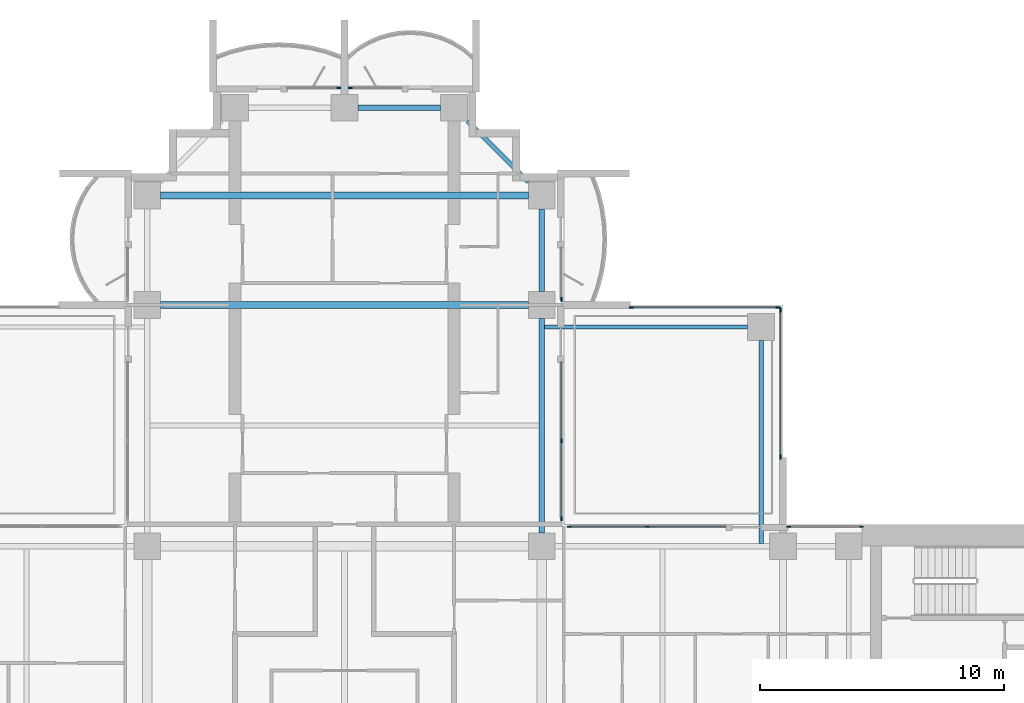
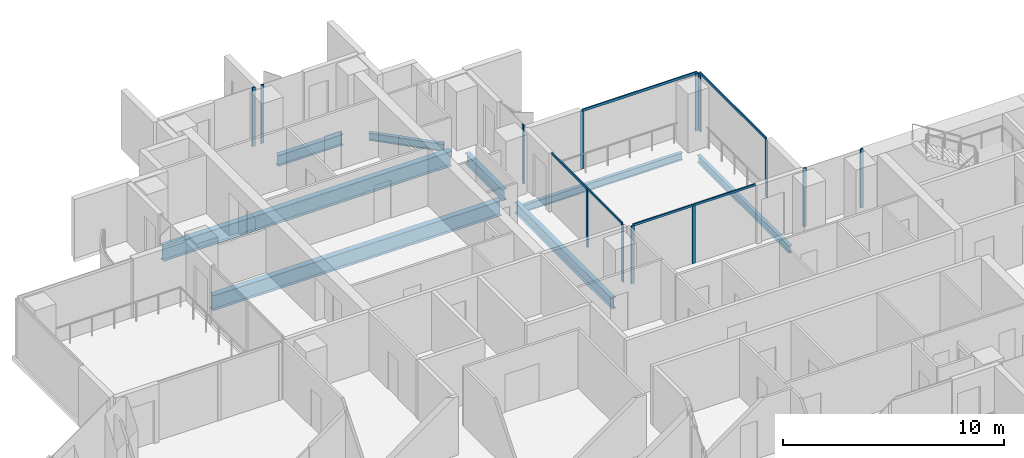
# One storey, part 6 of 19: 17 members, 8 beams, 8 elements without a shape of their own.
"""IFC4 building model written with IfcOpenShell, lengths in metres."""

from ifc_helpers import new_model, si_unit, direction, frame, origin, origin_2d, place, context, subcontext, project, spatial, rectangle, i_section, extrude, material, material_profile, profile_set, type_object, element, aggregate, save


model = new_model("IFC4")

# Units and contexts
model_context = context("Model", 3, precision=1e-05, world=origin(), true_north=direction((0.0, 1.0)))
body_context = subcontext(model_context, "Body", "Model", "MODEL_VIEW")
ifc_project = project(units=[si_unit("LENGTHUNIT", "METRE"), si_unit("AREAUNIT", "SQUARE_METRE"), si_unit("VOLUMEUNIT", "CUBIC_METRE"), si_unit("PLANEANGLEUNIT", "RADIAN"), si_unit("MASSUNIT", "GRAM", prefix="KILO")], contexts=[model_context])

# Site, building, storey
site_placement = place(None, origin())
site = spatial("IfcSite", under=ifc_project, at=site_placement, CompositionType="ELEMENT")
building_placement = place(site_placement, origin())
building = spatial("IfcBuilding", under=site, at=building_placement, Name="Perihelion Cross Residences", CompositionType="ELEMENT")
storey_placement = place(building_placement, frame((0.0, 0.0, 119.89990234375)))
storey = spatial("IfcBuildingStorey", under=building, at=storey_placement, Name="L28", CompositionType="ELEMENT", Elevation=119.89990234375)

# Curtain wall, members
ifc_material_1 = material(Name="Bronze anodised aluminium, tinted glazing", Category="aluminium")
curtain_wall_type_1 = type_object("IfcCurtainWallType", Name="CW1", PredefinedType="NOTDEFINED", material=ifc_material_1)
curtain_wall_1_placement = place(storey_placement, origin())
curtain_wall_1 = element("IfcCurtainWall", 1, at=curtain_wall_1_placement, inside=storey, type_object=curtain_wall_type_1, Name="Curtain wall CW1 L28 east side north bay 1", PredefinedType="NOTDEFINED")
ifc_material_2 = material(Name="Bronze anodised aluminium", Category="aluminium")
ifc_material_profile_1 = material_profile(ifc_material_2, rectangle(XDim=0.06005859375, YDim=0.159912109375, at=origin_2d()), Name="CW1 mullion")
ifc_profile_set_1 = profile_set([ifc_material_profile_1], Name="Bronze anodised aluminium")
member_type_1 = type_object("IfcMemberType", Name="CW1 mullion", PredefinedType="MULLION", material=ifc_profile_set_1)
member_1_placement = place(storey_placement, frame((21.219970703125, 8.89990234375, 0.0), z_axis=(0.0, 0.0, 1.0), x_axis=(0.0, -1.0, 0.0)))
member_1 = element("IfcMember", 2, at=member_1_placement, type_object=member_type_1, Name="CW1 mullion 1", PredefinedType="MULLION", context=body_context, shape_type="SweptSolid", body=[
    extrude(rectangle(XDim=0.06005859375, YDim=0.159912109375, at=origin_2d()), origin(), (0.0, 0.0, 1.0), 3.25),
])
member_2_placement = place(storey_placement, frame((18.22998046875, 8.89990234375, 0.0), z_axis=(0.0, 0.0, 1.0), x_axis=(0.0, -1.0, 0.0)))
member_2 = element("IfcMember", 3, at=member_2_placement, type_object=member_type_1, Name="CW1 mullion 2", PredefinedType="MULLION", context=body_context, shape_type="SweptSolid", body=[
    extrude(rectangle(XDim=0.06005859375, YDim=0.159912109375, at=origin_2d()), origin(), (0.0, 0.0, 1.0), 3.25),
])
aggregate(curtain_wall_1, [member_1, member_2])

curtain_wall_2_placement = place(storey_placement, origin())
curtain_wall_2 = element("IfcCurtainWall", 4, at=curtain_wall_2_placement, inside=storey, type_object=curtain_wall_type_1, Name="Curtain wall CW1 L28 east side north bay 2", PredefinedType="NOTDEFINED")
member_3_placement = place(storey_placement, frame((12.425048828125, 8.89990234375, 0.0), z_axis=(0.0, 0.0, 1.0), x_axis=(0.0, -1.0, 0.0)))
member_3 = element("IfcMember", 5, at=member_3_placement, type_object=member_type_1, Name="CW1 mullion 2", PredefinedType="MULLION", context=body_context, shape_type="SweptSolid", body=[
    extrude(rectangle(XDim=0.06005859375, YDim=0.159912109375, at=origin_2d()), origin(), (0.0, 0.0, 1.0), 3.190185546875),
])
member_4_placement = place(storey_placement, frame((9.22998046875, 8.89990234375, 0.0), z_axis=(0.0, 0.0, 1.0), x_axis=(0.0, -1.0, 0.0)))
member_4 = element("IfcMember", 6, at=member_4_placement, type_object=member_type_1, Name="CW1 mullion 3", PredefinedType="MULLION", context=body_context, shape_type="SweptSolid", body=[
    extrude(rectangle(XDim=0.06005859375, YDim=0.159912109375, at=origin_2d()), origin(), (0.0, 0.0, 1.0), 3.190185546875),
])

curtain_wall_3_placement = place(storey_placement, origin())
curtain_wall_3 = element("IfcCurtainWall", 7, at=curtain_wall_3_placement, inside=storey, type_object=curtain_wall_type_1, Name="Curtain wall CW1 L28 north side east bay 1", PredefinedType="NOTDEFINED")
member_5_placement = place(storey_placement, frame((8.89990234375, 9.22998046875, 0.0), z_axis=(0.0, 0.0, 1.0), x_axis=(-1.0, 0.0, 0.0)))
member_5 = element("IfcMember", 8, at=member_5_placement, type_object=member_type_1, Name="CW1 mullion 1", PredefinedType="MULLION", context=body_context, shape_type="SweptSolid", body=[
    extrude(rectangle(XDim=0.06005859375, YDim=0.159912109375, at=origin_2d()), origin(), (0.0, 0.0, 1.0), 3.190185546875),
])
member_6_placement = place(storey_placement, frame((8.89990234375, 12.425048828125, 0.0), z_axis=(0.0, 0.0, 1.0), x_axis=(-1.0, 0.0, 0.0)))
member_6 = element("IfcMember", 9, at=member_6_placement, type_object=member_type_1, Name="CW1 mullion 2", PredefinedType="MULLION", context=body_context, shape_type="SweptSolid", body=[
    extrude(rectangle(XDim=0.06005859375, YDim=0.159912109375, at=origin_2d()), origin(), (0.0, 0.0, 1.0), 3.190185546875),
])

# Curtain wall, member
curtain_wall_4_placement = place(storey_placement, origin())
curtain_wall_4 = element("IfcCurtainWall", 10, at=curtain_wall_4_placement, inside=storey, type_object=curtain_wall_type_1, Name="Curtain wall CW1 L28 north side east bay 2", PredefinedType="NOTDEFINED")
member_7_placement = place(storey_placement, frame((8.89990234375, 18.22998046875, 0.0), z_axis=(0.0, 0.0, 1.0), x_axis=(-1.0, 0.0, 0.0)))
member_7 = element("IfcMember", 11, at=member_7_placement, type_object=member_type_1, Name="CW1 mullion 1", PredefinedType="MULLION", context=body_context, shape_type="SweptSolid", body=[
    extrude(rectangle(XDim=0.06005859375, YDim=0.159912109375, at=origin_2d()), origin(), (0.0, 0.0, 1.0), 3.25),
])
aggregate(curtain_wall_4, [member_7])

curtain_wall_5_placement = place(storey_placement, origin())
curtain_wall_5 = element("IfcCurtainWall", 12, at=curtain_wall_5_placement, inside=storey, type_object=curtain_wall_type_1, Name="Curtain wall CW1 L28 north tip north bay 1", PredefinedType="NOTDEFINED")
member_8_placement = place(storey_placement, frame((0.22998046875, 26.89990234375, 0.0), z_axis=(0.0, 0.0, 1.0), x_axis=(0.0, -1.0, 0.0)))
member_8 = element("IfcMember", 13, at=member_8_placement, type_object=member_type_1, Name="CW1 mullion 2", PredefinedType="MULLION", context=body_context, shape_type="SweptSolid", body=[
    extrude(rectangle(XDim=0.06005859375, YDim=0.159912109375, at=origin_2d()), origin(), (0.0, 0.0, 1.0), 3.25),
])
aggregate(curtain_wall_5, [member_8])

curtain_wall_6_placement = place(storey_placement, origin())
curtain_wall_6 = element("IfcCurtainWall", 14, at=curtain_wall_6_placement, inside=storey, type_object=curtain_wall_type_1, Name="Curtain wall CW1 L28 north tip north bay 2", PredefinedType="NOTDEFINED")
member_9_placement = place(storey_placement, frame((-0.22998046875, 26.89990234375, 0.0), z_axis=(0.0, 0.0, 1.0), x_axis=(0.0, -1.0, 0.0)))
member_9 = element("IfcMember", 15, at=member_9_placement, type_object=member_type_1, Name="CW1 mullion 1", PredefinedType="MULLION", context=body_context, shape_type="SweptSolid", body=[
    extrude(rectangle(XDim=0.06005859375, YDim=0.159912109375, at=origin_2d()), origin(), (0.0, 0.0, 1.0), 3.25),
])
aggregate(curtain_wall_6, [member_9])

# Member
ifc_material_3 = material(Name="Bronze anodised aluminium", Category="aluminium")
ifc_material_profile_2 = material_profile(ifc_material_3, rectangle(XDim=0.06005859375, YDim=0.1201171875, at=origin_2d()), Name="CW1 transom")
ifc_profile_set_2 = profile_set([ifc_material_profile_2], Name="Bronze anodised aluminium")
member_type_2 = type_object("IfcMemberType", Name="CW1 transom", PredefinedType="USERDEFINED", material=ifc_profile_set_2)
member_10_placement = place(storey_placement, frame((15.64990234375, 8.89990234375, 3.22021484375), z_axis=(-1.0, 0.0, 0.0), x_axis=(0.0, -1.0, 0.0)))
member_10 = element("IfcMember", 16, at=member_10_placement, type_object=member_type_2, Name="CW1 head transom", ObjectType="TRANSOM", PredefinedType="USERDEFINED", context=body_context, shape_type="SweptSolid", body=[
    extrude(rectangle(XDim=0.06005859375, YDim=0.1201171875, at=origin_2d()), origin(), (0.0, 0.0, 1.0), 6.419921875),
])

aggregate(curtain_wall_2, [member_3, member_4, member_10])

member_11_placement = place(storey_placement, frame((8.89990234375, 9.22998046875, 3.22021484375), z_axis=(0.0, 1.0, 0.0), x_axis=(-1.0, 0.0, 0.0)))
member_11 = element("IfcMember", 17, at=member_11_placement, type_object=member_type_2, Name="CW1 head transom", ObjectType="TRANSOM", PredefinedType="USERDEFINED", context=body_context, shape_type="SweptSolid", body=[
    extrude(rectangle(XDim=0.06005859375, YDim=0.1201171875, at=origin_2d()), origin(), (0.0, 0.0, 1.0), 6.419921875),
])

aggregate(curtain_wall_3, [member_5, member_6, member_11])

# Curtain wall, members
ifc_material_4 = material(Name="Bronze anodised aluminium, tinted glazing", Category="aluminium")
curtain_wall_type_2 = type_object("IfcCurtainWallType", Name="CW4", PredefinedType="NOTDEFINED", material=ifc_material_4)
curtain_wall_7_placement = place(storey_placement, origin())
curtain_wall_7 = element("IfcCurtainWall", 18, at=curtain_wall_7_placement, inside=storey, type_object=curtain_wall_type_2, Name="Curtain wall CW4 L28 pocket north-east 1 1", PredefinedType="NOTDEFINED")
ifc_material_5 = material(Name="Bronze anodised aluminium", Category="aluminium")
ifc_material_profile_3 = material_profile(ifc_material_5, rectangle(XDim=0.06005859375, YDim=0.179931640625, at=origin_2d()), Name="CW4 mullion")
ifc_profile_set_3 = profile_set([ifc_material_profile_3], Name="Bronze anodised aluminium")
member_type_3 = type_object("IfcMemberType", Name="CW4 mullion", PredefinedType="MULLION", material=ifc_profile_set_3)
member_12_placement = place(storey_placement, frame((11.77001953125, 17.89990234375, 0.0), z_axis=(0.0, 0.0, 1.0), x_axis=(0.0, 1.0, 0.0)))
member_12 = element("IfcMember", 19, at=member_12_placement, type_object=member_type_3, Name="CW4 mullion 1", PredefinedType="MULLION", context=body_context, shape_type="SweptSolid", body=[
    extrude(rectangle(XDim=0.06005859375, YDim=0.179931640625, at=origin_2d()), origin(), (0.0, 0.0, 1.0), 3.190185546875),
])
member_13_placement = place(storey_placement, frame((17.800048828125, 17.89990234375, 0.0), z_axis=(0.0, 0.0, 1.0), x_axis=(0.0, 1.0, 0.0)))
member_13 = element("IfcMember", 20, at=member_13_placement, type_object=member_type_3, Name="CW4 mullion 2", PredefinedType="MULLION", context=body_context, shape_type="SweptSolid", body=[
    extrude(rectangle(XDim=0.06005859375, YDim=0.179931640625, at=origin_2d()), origin(), (0.0, 0.0, 1.0), 3.190185546875),
])

curtain_wall_8_placement = place(storey_placement, origin())
curtain_wall_8 = element("IfcCurtainWall", 21, at=curtain_wall_8_placement, inside=storey, type_object=curtain_wall_type_2, Name="Curtain wall CW4 L28 pocket north-east 1 2", PredefinedType="NOTDEFINED")
member_14_placement = place(storey_placement, frame((17.89990234375, 17.800048828125, 0.0), z_axis=(0.0, 0.0, 1.0), x_axis=(1.0, 0.0, 0.0)))
member_14 = element("IfcMember", 22, at=member_14_placement, type_object=member_type_3, Name="CW4 mullion 1", PredefinedType="MULLION", context=body_context, shape_type="SweptSolid", body=[
    extrude(rectangle(XDim=0.06005859375, YDim=0.179931640625, at=origin_2d()), origin(), (0.0, 0.0, 1.0), 3.190185546875),
])
member_15_placement = place(storey_placement, frame((17.89990234375, 11.77001953125, 0.0), z_axis=(0.0, 0.0, 1.0), x_axis=(1.0, 0.0, 0.0)))
member_15 = element("IfcMember", 23, at=member_15_placement, type_object=member_type_3, Name="CW4 mullion 2", PredefinedType="MULLION", context=body_context, shape_type="SweptSolid", body=[
    extrude(rectangle(XDim=0.06005859375, YDim=0.179931640625, at=origin_2d()), origin(), (0.0, 0.0, 1.0), 3.190185546875),
])

# Member
ifc_material_6 = material(Name="Bronze anodised aluminium", Category="aluminium")
ifc_material_profile_4 = material_profile(ifc_material_6, rectangle(XDim=0.06005859375, YDim=0.139892578125, at=origin_2d()), Name="CW4 transom")
ifc_profile_set_4 = profile_set([ifc_material_profile_4], Name="Bronze anodised aluminium")
member_type_4 = type_object("IfcMemberType", Name="CW4 transom", PredefinedType="USERDEFINED", material=ifc_profile_set_4)
member_16_placement = place(storey_placement, frame((11.77001953125, 17.89990234375, 3.22021484375), z_axis=(1.0, 0.0, 0.0), x_axis=(0.0, 1.0, 0.0)))
member_16 = element("IfcMember", 24, at=member_16_placement, type_object=member_type_4, Name="CW4 head transom", ObjectType="TRANSOM", PredefinedType="USERDEFINED", context=body_context, shape_type="SweptSolid", body=[
    extrude(rectangle(XDim=0.06005859375, YDim=0.139892578125, at=origin_2d()), origin(), (0.0, 0.0, 1.0), 6.030029296875),
])

aggregate(curtain_wall_7, [member_12, member_13, member_16])

member_17_placement = place(storey_placement, frame((17.89990234375, 17.800048828125, 3.22021484375), z_axis=(0.0, -1.0, 0.0), x_axis=(1.0, 0.0, 0.0)))
member_17 = element("IfcMember", 25, at=member_17_placement, type_object=member_type_4, Name="CW4 head transom", ObjectType="TRANSOM", PredefinedType="USERDEFINED", context=body_context, shape_type="SweptSolid", body=[
    extrude(rectangle(XDim=0.06005859375, YDim=0.139892578125, at=origin_2d()), origin(), (0.0, 0.0, 1.0), 6.030029296875),
])

aggregate(curtain_wall_8, [member_14, member_15, member_17])

# Beams
ifc_material_7 = material(Name="Steel S355", Category="steel")
ifc_material_profile_5 = material_profile(ifc_material_7, i_section(OverallWidth=0.177978515625, OverallDepth=0.406005859375, WebThickness=0.0078125, FlangeThickness=0.0126953125, at=origin_2d()), Name="W410x60")
ifc_profile_set_5 = profile_set([ifc_material_profile_5], Name="Steel S355")
beam_type_1 = type_object("IfcBeamType", Name="Core edge beam W410x60", PredefinedType="BEAM", material=ifc_profile_set_5)
for number, where, z_axis, x_axis, name in (
    (26, (17.10009765625, 8.214599609375, -0.452880859375), (0.0, 1.0, 0.0), (-1.0, 0.0, 0.0), "Core edge beam TB2 L28 corner no. 7"),
    (27, (8.214599609375, 17.10009765625, -0.452880859375), (1.0, 0.0, 0.0), (0.0, 1.0, 0.0), "Core edge beam TB2 L28 corner no. 8"),
):
    element("IfcBeam", number, at=place(storey_placement, frame(where, z_axis=z_axis, x_axis=x_axis)), inside=storey, type_object=beam_type_1, Name=name, PredefinedType="BEAM", context=body_context, shape_type="SweptSolid", body=[
        extrude(i_section(OverallWidth=0.177978515625, OverallDepth=0.406005859375, WebThickness=0.0078125, FlangeThickness=0.0126953125, at=origin_2d()), origin(), (0.0, 0.0, 1.0), 8.33544921875),
    ])
ifc_material_8 = material(Name="Steel S355", Category="steel")
ifc_material_profile_6 = material_profile(ifc_material_8, i_section(OverallWidth=0.22900390625, OverallDepth=0.612060546875, WebThickness=0.011962890625, FlangeThickness=0.01953125, at=origin_2d()), Name="W610x125")
ifc_profile_set_6 = profile_set([ifc_material_profile_6], Name="Steel S355")
beam_type_2 = type_object("IfcBeamType", Name="Edge beam W610x125", PredefinedType="SPANDREL", material=ifc_profile_set_6)
beam_1_placement = place(storey_placement, frame((8.10009765625, 8.64990234375, -0.555908203125), z_axis=(0.0, 1.0, 0.0), x_axis=(-1.0, 0.0, 0.0)))
element("IfcBeam", 28, at=beam_1_placement, inside=storey, type_object=beam_type_2, Name="Edge beam SB3 L28 no. 18", PredefinedType="SPANDREL", context=body_context, shape_type="SweptSolid", body=[
    extrude(i_section(OverallWidth=0.22900390625, OverallDepth=0.612060546875, WebThickness=0.011962890625, FlangeThickness=0.01953125, at=origin_2d()), origin(), (0.0, 0.0, 1.0), 8.800048828125),
])
for number, where, z_axis, x_axis, name in (
    (29, (8.10009765625, 18.550048828125, -0.555908203125), (0.0, 1.0, 0.0), (-1.0, 0.0, 0.0), "Edge beam SB3 L28 no. 17"),
    (30, (3.949951171875, 26.10009765625, -0.555908203125), (-1.0, 0.0, 0.0), (0.0, -1.0, 0.0), "Edge beam SB3 L28 no. 14"),
):
    element("IfcBeam", number, at=place(storey_placement, frame(where, z_axis=z_axis, x_axis=x_axis)), inside=storey, type_object=beam_type_2, Name=name, PredefinedType="SPANDREL", context=body_context, shape_type="SweptSolid", body=[
        extrude(i_section(OverallWidth=0.22900390625, OverallDepth=0.612060546875, WebThickness=0.011962890625, FlangeThickness=0.01953125, at=origin_2d()), origin(), (0.0, 0.0, 1.0), 3.39990234375),
    ])
ifc_material_9 = material(Name="Steel S355", Category="steel")
ifc_material_profile_7 = material_profile(ifc_material_9, i_section(OverallWidth=0.2919921875, OverallDepth=0.8359375, WebThickness=0.013916015625, FlangeThickness=0.018798828125, at=origin_2d()), Name="W840x176")
ifc_profile_set_7 = profile_set([ifc_material_profile_7], Name="Steel S355")
beam_type_3 = type_object("IfcBeamType", Name="Floor girder W840x176", PredefinedType="BEAM", material=ifc_profile_set_7)
for number, where, z_axis, x_axis, name in (
    (31, (-7.550048828125, 18.0, -0.66796875), (1.0, 0.0, 0.0), (0.0, 1.0, 0.0), "Girder G3 L28 no. 4"),
    (32, (-7.550048828125, 22.5, -0.66796875), (1.0, 0.0, 0.0), (0.0, 1.0, 0.0), "Girder G3 L28 no. 5"),
):
    element("IfcBeam", number, at=place(storey_placement, frame(where, z_axis=z_axis, x_axis=x_axis)), inside=storey, type_object=beam_type_3, Name=name, PredefinedType="BEAM", context=body_context, shape_type="SweptSolid", body=[
        extrude(i_section(OverallWidth=0.2919921875, OverallDepth=0.8359375, WebThickness=0.013916015625, FlangeThickness=0.018798828125, at=origin_2d()), origin(), (0.0, 0.0, 1.0), 15.10009765625),
    ])
ifc_material_10 = material(Name="Steel S355", Category="steel")
ifc_material_profile_8 = material_profile(ifc_material_10, i_section(OverallWidth=0.180908203125, OverallDepth=0.4169921875, WebThickness=0.010986328125, FlangeThickness=0.018310546875, at=origin_2d()), Name="W410x85")
ifc_profile_set_8 = profile_set([ifc_material_profile_8], Name="Steel S355")
beam_type_4 = type_object("IfcBeamType", Name="Serration edge beam W410x85", PredefinedType="BEAM", material=ifc_profile_set_8)
beam_2_placement = place(storey_placement, frame((7.550048828125, 23.050048828125, -0.45849609375), z_axis=(-0.707106781187, 0.707106781187, 0.0), x_axis=(-0.707106781187, -0.707106781187, 0.0)))
element("IfcBeam", 33, at=beam_2_placement, inside=storey, type_object=beam_type_4, Name="Serration edge beam EB3 L28 no. 4", PredefinedType="BEAM", context=body_context, shape_type="SweptSolid", body=[
    extrude(i_section(OverallWidth=0.180908203125, OverallDepth=0.4169921875, WebThickness=0.010986328125, FlangeThickness=0.018310546875, at=origin_2d()), origin(), (0.0, 0.0, 1.0), 3.53564453125),
])

save(model, "model.ifc")
